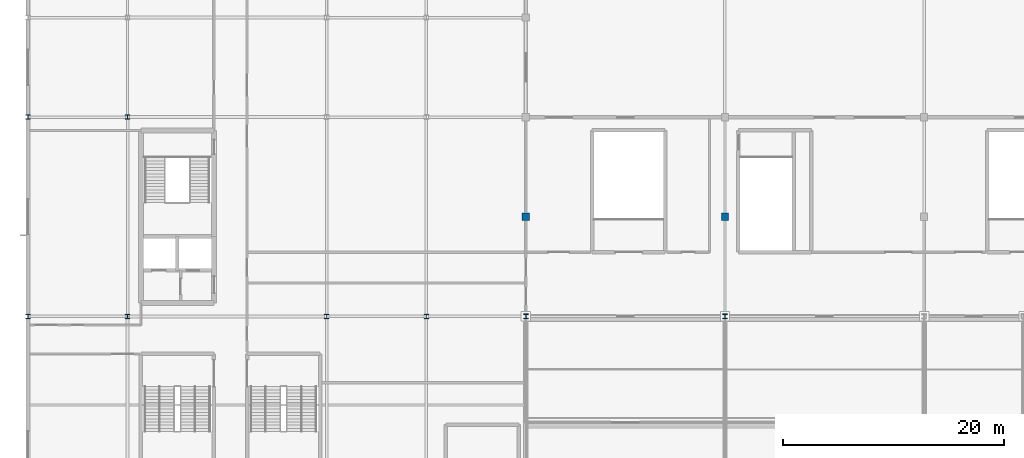
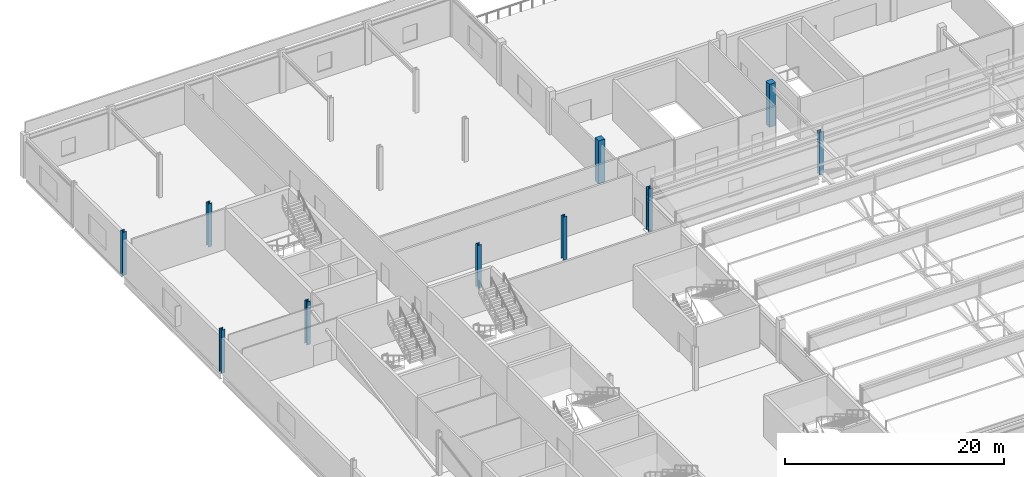
# One storey, part 4 of 136: 10 columns.
"""IFC4 building model written with IfcOpenShell, lengths in metres."""

from ifc_helpers import new_model, si_unit, direction, frame, origin, origin_2d, place, context, subcontext, project, spatial, rectangle, i_section, extrude, material, material_profile, profile_set, type_object, element, save


model = new_model("IFC4")

# Units and contexts
model_context = context("Model", 3, precision=1e-05, world=origin(), true_north=direction((0.0, 1.0)))
body_context = subcontext(model_context, "Body", "Model", "MODEL_VIEW")
ifc_project = project(units=[si_unit("LENGTHUNIT", "METRE"), si_unit("AREAUNIT", "SQUARE_METRE"), si_unit("VOLUMEUNIT", "CUBIC_METRE"), si_unit("PLANEANGLEUNIT", "RADIAN"), si_unit("MASSUNIT", "GRAM", prefix="KILO")], contexts=[model_context])

# Site, building, storey
site_placement = place(None, origin())
site = spatial("IfcSite", under=ifc_project, at=site_placement, CompositionType="ELEMENT")
building_placement = place(site_placement, origin())
building = spatial("IfcBuilding", under=site, at=building_placement, Name="Kisiwana Market Hall", CompositionType="ELEMENT")
storey_placement = place(building_placement, frame((0.0, 0.0, 16.800048828125)))
storey = spatial("IfcBuildingStorey", under=building, at=storey_placement, Name="L03", CompositionType="ELEMENT", Elevation=16.800048828125)

# Columns
ifc_material_1 = material(Name="Concrete C40/50", Category="concrete")
ifc_material_profile_1 = material_profile(ifc_material_1, rectangle(XDim=0.64990234375, YDim=0.64990234375, at=origin_2d()), Name="RC 650x650")
ifc_profile_set_1 = profile_set([ifc_material_profile_1], Name="Concrete C40/50")
column_type_1 = type_object("IfcColumnType", Name="COL-RC-POD-650", PredefinedType="COLUMN", material=ifc_profile_set_1)
for number, where, z_axis, x_axis, name in (
    (1, (45.0, 93.0, 0.0), (0.0, 0.0, 1.0), (1.0, 0.0, 0.0), "Column M/6 (L03) C-0701"),
    (2, (63.0, 93.0, 0.0), (0.0, 0.0, 1.0), (1.0, 0.0, 0.0), "Column M/8 (L03) C-0709"),
):
    element("IfcColumn", number, at=place(storey_placement, frame(where, z_axis=z_axis, x_axis=x_axis)), inside=storey, type_object=column_type_1, Name=name, PredefinedType="COLUMN", context=body_context, shape_type="SweptSolid", body=[
        extrude(rectangle(XDim=0.64990234375, YDim=0.64990234375, at=origin_2d()), origin(), (0.0, 0.0, 1.0), 4.800048828125),
    ])
ifc_material_2 = material(Name="Steel S355", Category="steel")
ifc_material_profile_2 = material_profile(ifc_material_2, i_section(OverallWidth=0.406005859375, OverallDepth=0.416015625, WebThickness=0.02978515625, FlangeThickness=0.048095703125, at=origin_2d()), Name="HD 400x382")
ifc_profile_set_2 = profile_set([ifc_material_profile_2], Name="Steel S355")
column_type_2 = type_object("IfcColumnType", Name="COL-STL-HD382", PredefinedType="COLUMN", material=ifc_profile_set_2)
for number, where, z_axis, x_axis, name in (
    (3, (0.0, 84.0, 0.0), (0.0, 0.0, 1.0), (1.0, 0.0, 0.0), "Column L/1 (L03) C-0665"),
    (4, (0.0, 102.0, 0.0), (0.0, 0.0, 1.0), (1.0, 0.0, 0.0), "Column N/1 (L03) C-0666"),
    (5, (9.0, 84.0, 0.0), (0.0, 0.0, 1.0), (1.0, 0.0, 0.0), "Column L/2 (L03) C-0673"),
    (6, (9.0, 102.0, 0.0), (0.0, 0.0, 1.0), (1.0, 0.0, 0.0), "Column N/2 (L03) C-0674"),
    (7, (27.0, 84.0, 0.0), (0.0, 0.0, 1.0), (1.0, 0.0, 0.0), "Column L/4 (L03) C-0682"),
    (8, (36.0, 84.0, 0.0), (0.0, 0.0, 1.0), (1.0, 0.0, 0.0), "Column L/5 (L03) C-0690"),
):
    element("IfcColumn", number, at=place(storey_placement, frame(where, z_axis=z_axis, x_axis=x_axis)), inside=storey, type_object=column_type_2, Name=name, PredefinedType="COLUMN", context=body_context, shape_type="SweptSolid", body=[
        extrude(i_section(OverallWidth=0.406005859375, OverallDepth=0.416015625, WebThickness=0.02978515625, FlangeThickness=0.048095703125, at=origin_2d()), origin(), (0.0, 0.0, 1.0), 4.800048828125),
    ])
ifc_material_3 = material(Name="Steel S355", Category="steel")
ifc_material_profile_3 = material_profile(ifc_material_3, i_section(OverallWidth=0.412109375, OverallDepth=0.43505859375, WebThickness=0.035888671875, FlangeThickness=0.05810546875, at=origin_2d()), Name="HD 400x463")
ifc_profile_set_3 = profile_set([ifc_material_profile_3], Name="Steel S355")
column_type_3 = type_object("IfcColumnType", Name="COL-STL-HD463", PredefinedType="COLUMN", material=ifc_profile_set_3)
for number, where, z_axis, x_axis, name in (
    (9, (45.0, 84.0, 0.0), (0.0, 0.0, 1.0), (1.0, 0.0, 0.0), "Column L/6 (L03) C-0700"),
    (10, (63.0, 84.0, 0.0), (0.0, 0.0, 1.0), (1.0, 0.0, 0.0), "Column L/8 (L03) C-0708"),
):
    element("IfcColumn", number, at=place(storey_placement, frame(where, z_axis=z_axis, x_axis=x_axis)), inside=storey, type_object=column_type_3, Name=name, PredefinedType="COLUMN", context=body_context, shape_type="SweptSolid", body=[
        extrude(i_section(OverallWidth=0.412109375, OverallDepth=0.43505859375, WebThickness=0.035888671875, FlangeThickness=0.05810546875, at=origin_2d()), origin(), (0.0, 0.0, 1.0), 4.800048828125),
    ])

save(model, "model.ifc")
